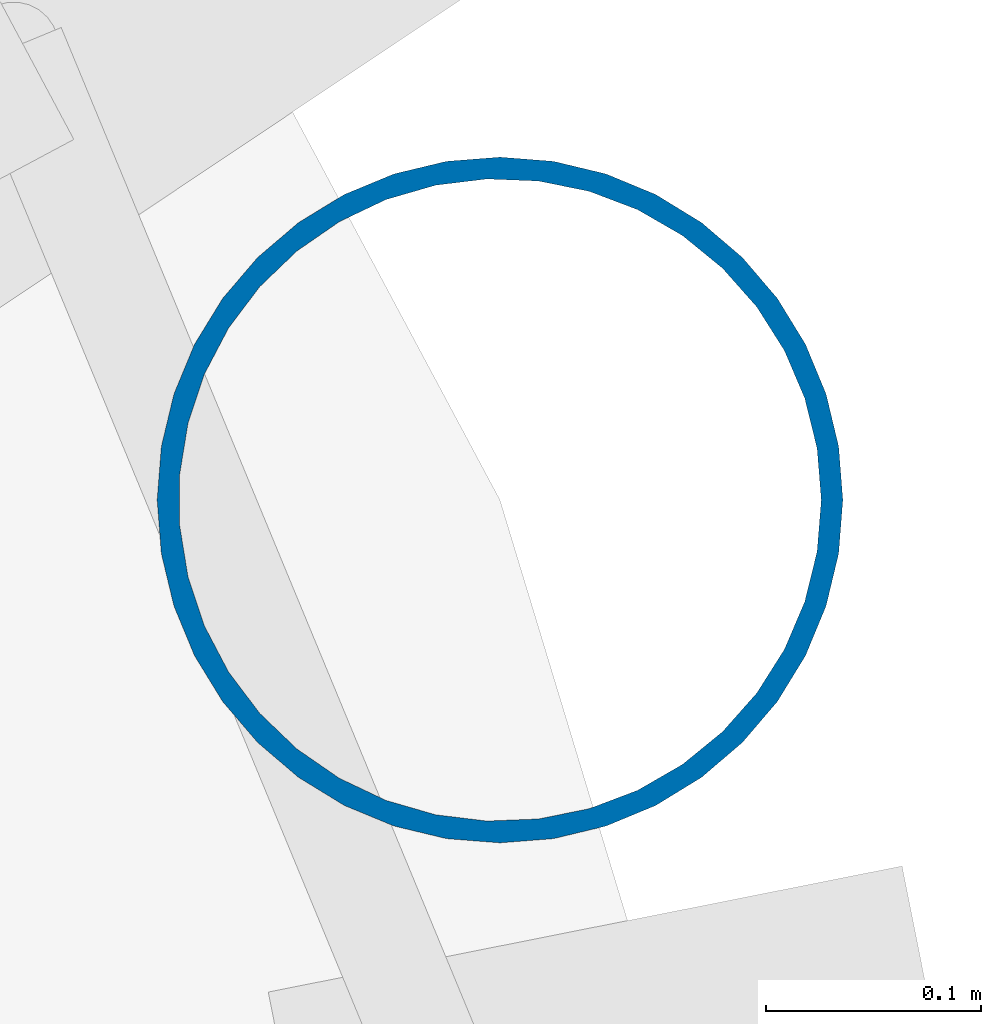
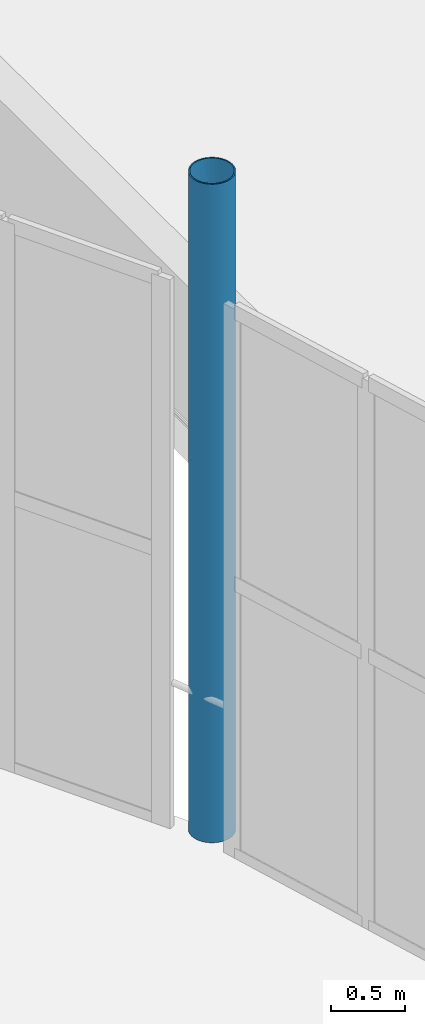
# One storey, part 18 of 112: 1 column.
"""IFC4 building model written with IfcOpenShell, lengths in metres."""

from ifc_helpers import new_model, si_unit, direction, frame, origin, origin_2d, place, context, subcontext, project, spatial, hollow_circle, extrude, material, material_profile, profile_set, type_object, element, save


model = new_model("IFC4")

# Units and contexts
model_context = context("Model", 3, precision=1e-05, world=origin(), true_north=direction((0.0, 1.0)))
body_context = subcontext(model_context, "Body", "Model", "MODEL_VIEW")
ifc_project = project(units=[si_unit("LENGTHUNIT", "METRE"), si_unit("AREAUNIT", "SQUARE_METRE"), si_unit("VOLUMEUNIT", "CUBIC_METRE"), si_unit("PLANEANGLEUNIT", "RADIAN"), si_unit("MASSUNIT", "GRAM", prefix="KILO")], contexts=[model_context])

# Site, building, storey
site_placement = place(None, origin())
site = spatial("IfcSite", under=ifc_project, at=site_placement, CompositionType="ELEMENT")
building_placement = place(site_placement, origin())
building = spatial("IfcBuilding", under=site, at=building_placement, Name="Yeouljin Market Hall", CompositionType="ELEMENT")
storey_placement = place(building_placement, frame((0.0, 0.0, 6.0)))
storey = spatial("IfcBuildingStorey", under=building, at=storey_placement, Name="L01", CompositionType="ELEMENT", Elevation=6.0)

# Column
ifc_material = material(Name="Steel SM355", Category="steel")
ifc_material_profile = material_profile(ifc_material, hollow_circle(Radius=0.1591796875, WallThickness=0.010009765625, at=origin_2d()), Name="CHS-318.5x10")
ifc_profile_set = profile_set([ifc_material_profile], Name="Steel SM355")
column_type = type_object("IfcColumnType", Name="Col_CHS-318.5x10", PredefinedType="COLUMN", material=ifc_profile_set)
column_placement = place(storey_placement, frame((160.401611328125, 65.036376953125, 0.0), z_axis=(0.0, 0.0, 1.0), x_axis=(1.0, 0.0, 0.0)))
element("IfcColumn", 1, at=column_placement, inside=storey, type_object=column_type, Name="Column AP-E10 (L01)", PredefinedType="COLUMN", context=body_context, shape_type="SweptSolid", body=[
    extrude(hollow_circle(Radius=0.1591796875, WallThickness=0.010009765625, at=origin_2d()), origin(), (0.0, 0.0, 1.0), 5.39990234375),
])

save(model, "model.ifc")
